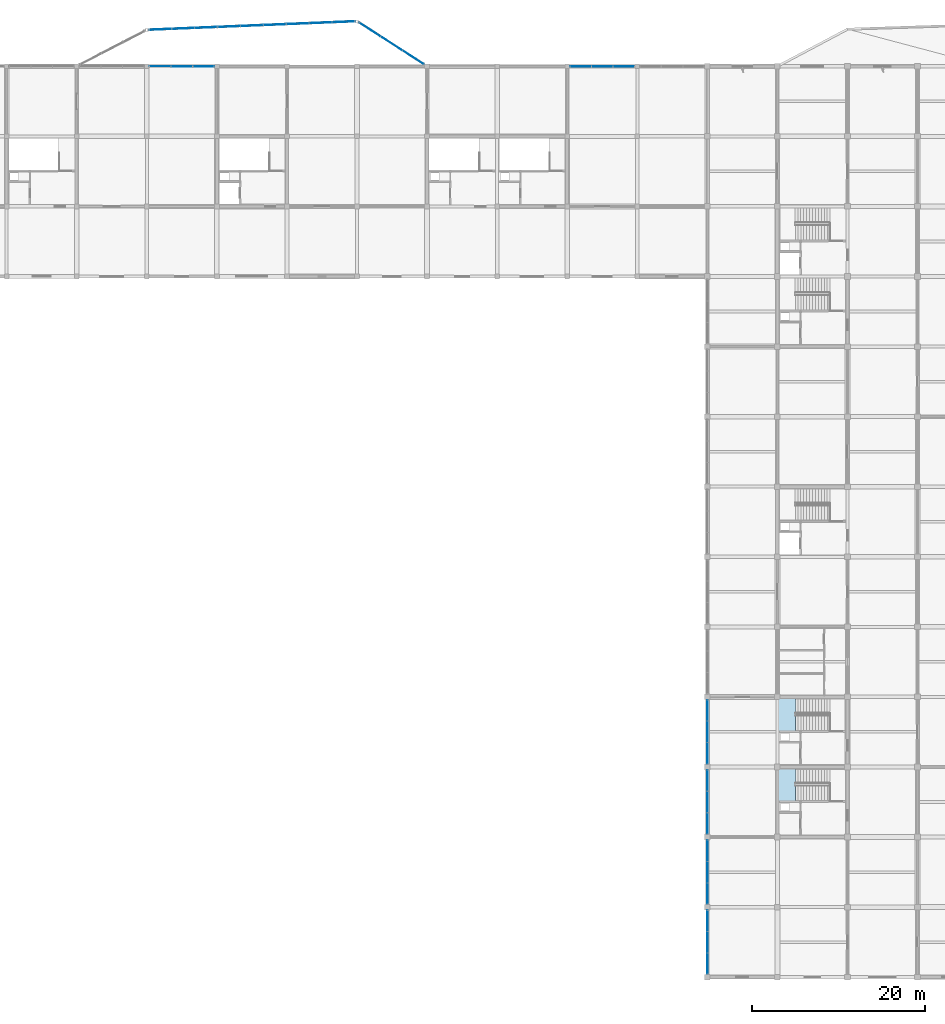
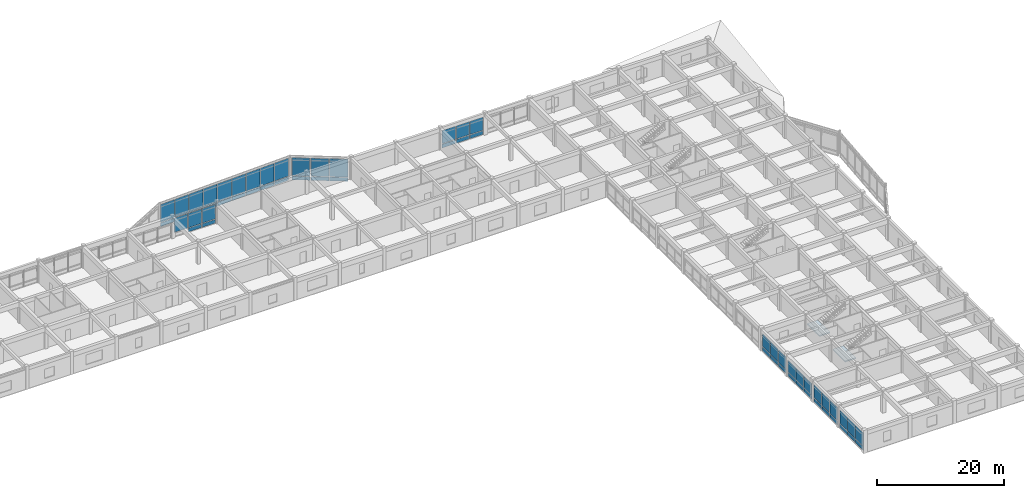
# One storey, part 22 of 40: 59 plates, 2 slabs, 12 elements without a shape of their own.
"""IFC4 building model written with IfcOpenShell, lengths in metres."""

from ifc_helpers import new_model, si_unit, direction, frame, origin, origin_2d, place, context, subcontext, project, spatial, polyline, rectangle, outline, extrude, material, layer, layer_set, type_object, element, aggregate, save


model = new_model("IFC4")

# Units and contexts
model_context = context("Model", 3, precision=1e-05, world=origin(), true_north=direction((0.0, 1.0)))
body_context = subcontext(model_context, "Body", "Model", "MODEL_VIEW")
ifc_project = project(units=[si_unit("LENGTHUNIT", "METRE"), si_unit("AREAUNIT", "SQUARE_METRE"), si_unit("VOLUMEUNIT", "CUBIC_METRE"), si_unit("PLANEANGLEUNIT", "RADIAN"), si_unit("MASSUNIT", "GRAM", prefix="KILO")], contexts=[model_context])

# Site, building, storey
site_placement = place(None, origin())
site = spatial("IfcSite", under=ifc_project, at=site_placement, CompositionType="ELEMENT")
building_placement = place(site_placement, origin())
building = spatial("IfcBuilding", under=site, at=building_placement, Name="Vaudrelin Polytechnic", CompositionType="ELEMENT")
storey_placement = place(building_placement, frame((0.0, 0.0, 22.949951171875)))
storey = spatial("IfcBuildingStorey", under=building, at=storey_placement, Name="L05", CompositionType="ELEMENT", Elevation=22.949951171875)

# Curtain wall, plates
ifc_material_1 = material(Name="Thermally broken anodised aluminium AA 6063-T6 and low-e triple glazing", Category="aluminium")
ifc_layer_1 = layer(ifc_material_1, 0.199951171875)
ifc_layer_set_1 = layer_set([ifc_layer_1], Name="Thermally broken anodised aluminium AA 6063-T6 and low-e triple glazing")
curtain_wall_type_1 = type_object("IfcCurtainWallType", Name="CW-CW-STU", PredefinedType="USERDEFINED", material=ifc_layer_set_1)
curtain_wall_1_placement = place(storey_placement, origin())
curtain_wall_1 = element("IfcCurtainWall", 1, at=curtain_wall_1_placement, inside=storey, type_object=curtain_wall_type_1, Name="Curtain wall L05 N_V5_07", ObjectType="CURTAIN WALL", PredefinedType="USERDEFINED")
ifc_material_2 = material(Name="Diffusing north-light studio glazing panel", Category="glass")
ifc_layer_2 = layer(ifc_material_2, 0.048095703125)
ifc_layer_set_2 = layer_set([ifc_layer_2], Name="Diffusing north-light studio glazing panel")
plate_type_1 = type_object("IfcPlateType", Name="PLT-GLZ-SAW", PredefinedType="CURTAIN_PANEL", material=ifc_layer_set_2)
plate_1_placement = place(storey_placement, frame((74.431884765625, 121.5, 0.89990234375), z_axis=(0.0, 0.0, 1.0), x_axis=(1.0, 0.0, 0.0)))
plate_1 = element("IfcPlate", 2, at=plate_1_placement, type_object=plate_type_1, Name="N_V5_07 vision panel 1", PredefinedType="CURTAIN_PANEL", context=body_context, shape_type="SweptSolid", body=[
    extrude(rectangle(XDim=2.41796875, YDim=0.0439453125, at=origin_2d()), origin(), (0.0, 0.0, 1.0), 2.7470703125),
])
plate_2_placement = place(storey_placement, frame((76.949951171875, 121.5, 0.89990234375), z_axis=(0.0, 0.0, 1.0), x_axis=(1.0, 0.0, 0.0)))
plate_2 = element("IfcPlate", 3, at=plate_2_placement, type_object=plate_type_1, Name="N_V5_07 vision panel 2", PredefinedType="CURTAIN_PANEL", context=body_context, shape_type="SweptSolid", body=[
    extrude(rectangle(XDim=2.41796875, YDim=0.0439453125, at=origin_2d()), origin(), (0.0, 0.0, 1.0), 2.7470703125),
])
plate_3_placement = place(storey_placement, frame((79.468017578125, 121.5, 0.89990234375), z_axis=(0.0, 0.0, 1.0), x_axis=(1.0, 0.0, 0.0)))
plate_3 = element("IfcPlate", 4, at=plate_3_placement, type_object=plate_type_1, Name="N_V5_07 vision panel 3", PredefinedType="CURTAIN_PANEL", context=body_context, shape_type="SweptSolid", body=[
    extrude(rectangle(XDim=2.41796875, YDim=0.0439453125, at=origin_2d()), origin(), (0.0, 0.0, 1.0), 2.7470703125),
])

curtain_wall_2_placement = place(storey_placement, origin())
curtain_wall_2 = element("IfcCurtainWall", 5, at=curtain_wall_2_placement, inside=storey, type_object=curtain_wall_type_1, Name="Curtain wall L05 N_V5_13", ObjectType="CURTAIN WALL", PredefinedType="USERDEFINED")
plate_4_placement = place(storey_placement, frame((123.031982421875, 121.5, 0.89990234375), z_axis=(0.0, 0.0, 1.0), x_axis=(1.0, 0.0, 0.0)))
plate_4 = element("IfcPlate", 6, at=plate_4_placement, type_object=plate_type_1, Name="N_V5_13 vision panel 1", PredefinedType="CURTAIN_PANEL", context=body_context, shape_type="SweptSolid", body=[
    extrude(rectangle(XDim=2.41796875, YDim=0.0439453125, at=origin_2d()), origin(), (0.0, 0.0, 1.0), 2.511962890625),
])
plate_5_placement = place(storey_placement, frame((125.550048828125, 121.5, 0.89990234375), z_axis=(0.0, 0.0, 1.0), x_axis=(1.0, 0.0, 0.0)))
plate_5 = element("IfcPlate", 7, at=plate_5_placement, type_object=plate_type_1, Name="N_V5_13 vision panel 2", PredefinedType="CURTAIN_PANEL", context=body_context, shape_type="SweptSolid", body=[
    extrude(rectangle(XDim=2.41796875, YDim=0.0439453125, at=origin_2d()), origin(), (0.0, 0.0, 1.0), 2.511962890625),
])
plate_6_placement = place(storey_placement, frame((128.068115234375, 121.5, 0.89990234375), z_axis=(0.0, 0.0, 1.0), x_axis=(1.0, 0.0, 0.0)))
plate_6 = element("IfcPlate", 8, at=plate_6_placement, type_object=plate_type_1, Name="N_V5_13 vision panel 3", PredefinedType="CURTAIN_PANEL", context=body_context, shape_type="SweptSolid", body=[
    extrude(rectangle(XDim=2.41796875, YDim=0.0439453125, at=origin_2d()), origin(), (0.0, 0.0, 1.0), 2.511962890625),
])

# Plate
ifc_material_3 = material(Name="Insulated ceramic-frit spandrel glass panel", Category="glass")
ifc_layer_3 = layer(ifc_material_3, 0.052001953125)
ifc_layer_set_3 = layer_set([ifc_layer_3], Name="Insulated ceramic-frit spandrel glass panel")
plate_type_2 = type_object("IfcPlateType", Name="PLT-GLZ-SPAND", PredefinedType="CURTAIN_PANEL", material=ifc_layer_set_3)
plate_7_placement = place(storey_placement, frame((76.949951171875, 121.5, 0.08984375), z_axis=(0.0, 0.0, 1.0), x_axis=(1.0, 0.0, 0.0)))
plate_7 = element("IfcPlate", 9, at=plate_7_placement, type_object=plate_type_2, Name="N_V5_07 spandrel panel 2", PredefinedType="CURTAIN_PANEL", context=body_context, shape_type="SweptSolid", body=[
    extrude(rectangle(XDim=2.41796875, YDim=0.052001953125, at=origin_2d()), origin(), (0.0, 0.0, 1.0), 0.699951171875),
])

plate_8_placement = place(storey_placement, frame((79.468017578125, 121.5, 0.08984375), z_axis=(0.0, 0.0, 1.0), x_axis=(1.0, 0.0, 0.0)))
plate_8 = element("IfcPlate", 10, at=plate_8_placement, type_object=plate_type_2, Name="N_V5_07 spandrel panel 3", PredefinedType="CURTAIN_PANEL", context=body_context, shape_type="SweptSolid", body=[
    extrude(rectangle(XDim=2.41796875, YDim=0.052001953125, at=origin_2d()), origin(), (0.0, 0.0, 1.0), 0.699951171875),
])

aggregate(curtain_wall_1, [plate_1, plate_7, plate_2, plate_8, plate_3])

plate_9_placement = place(storey_placement, frame((123.031982421875, 121.5, 0.08984375), z_axis=(0.0, 0.0, 1.0), x_axis=(1.0, 0.0, 0.0)))
plate_9 = element("IfcPlate", 11, at=plate_9_placement, type_object=plate_type_2, Name="N_V5_13 spandrel panel 1", PredefinedType="CURTAIN_PANEL", context=body_context, shape_type="SweptSolid", body=[
    extrude(rectangle(XDim=2.41796875, YDim=0.052001953125, at=origin_2d()), origin(), (0.0, 0.0, 1.0), 0.699951171875),
])

plate_10_placement = place(storey_placement, frame((125.550048828125, 121.5, 0.08984375), z_axis=(0.0, 0.0, 1.0), x_axis=(1.0, 0.0, 0.0)))
plate_10 = element("IfcPlate", 12, at=plate_10_placement, type_object=plate_type_2, Name="N_V5_13 spandrel panel 2", PredefinedType="CURTAIN_PANEL", context=body_context, shape_type="SweptSolid", body=[
    extrude(rectangle(XDim=2.41796875, YDim=0.052001953125, at=origin_2d()), origin(), (0.0, 0.0, 1.0), 0.699951171875),
])

plate_11_placement = place(storey_placement, frame((128.068115234375, 121.5, 0.08984375), z_axis=(0.0, 0.0, 1.0), x_axis=(1.0, 0.0, 0.0)))
plate_11 = element("IfcPlate", 13, at=plate_11_placement, type_object=plate_type_2, Name="N_V5_13 spandrel panel 3", PredefinedType="CURTAIN_PANEL", context=body_context, shape_type="SweptSolid", body=[
    extrude(rectangle(XDim=2.41796875, YDim=0.052001953125, at=origin_2d()), origin(), (0.0, 0.0, 1.0), 0.699951171875),
])

aggregate(curtain_wall_2, [plate_9, plate_4, plate_10, plate_5, plate_11, plate_6])

# Curtain wall, plates
ifc_layer_4 = layer(ifc_material_1, 0.199951171875)
ifc_layer_set_4 = layer_set([ifc_layer_4], Name="Thermally broken anodised aluminium AA 6063-T6 and low-e triple glazing")
curtain_wall_type_2 = type_object("IfcCurtainWallType", Name="CW-CW-LAB", PredefinedType="USERDEFINED", material=ifc_layer_set_4)
curtain_wall_3_placement = place(storey_placement, origin())
curtain_wall_3 = element("IfcCurtainWall", 14, at=curtain_wall_3_placement, inside=storey, type_object=curtain_wall_type_2, Name="Curtain wall L05 W_V4_00", ObjectType="CURTAIN WALL", PredefinedType="USERDEFINED")
plate_12_placement = place(storey_placement, frame((137.699951171875, 17.765380859375, 0.08984375), z_axis=(0.0, 0.0, 1.0), x_axis=(0.0, 1.0, 0.0)))
plate_12 = element("IfcPlate", 15, at=plate_12_placement, type_object=plate_type_2, Name="W_V4_00 spandrel panel 1", PredefinedType="CURTAIN_PANEL", context=body_context, shape_type="SweptSolid", body=[
    extrude(rectangle(XDim=2.384765625, YDim=0.052001953125, at=origin_2d()), origin(), (0.0, 0.0, 1.0), 0.699951171875),
])
plate_13_placement = place(storey_placement, frame((137.699951171875, 20.25, 0.08984375), z_axis=(0.0, 0.0, 1.0), x_axis=(0.0, 1.0, 0.0)))
plate_13 = element("IfcPlate", 16, at=plate_13_placement, type_object=plate_type_2, Name="W_V4_00 spandrel panel 2", PredefinedType="CURTAIN_PANEL", context=body_context, shape_type="SweptSolid", body=[
    extrude(rectangle(XDim=2.384765625, YDim=0.052001953125, at=origin_2d()), origin(), (0.0, 0.0, 1.0), 0.699951171875),
])
plate_14_placement = place(storey_placement, frame((137.699951171875, 22.734619140625, 0.08984375), z_axis=(0.0, 0.0, 1.0), x_axis=(0.0, 1.0, 0.0)))
plate_14 = element("IfcPlate", 17, at=plate_14_placement, type_object=plate_type_2, Name="W_V4_00 spandrel panel 3", PredefinedType="CURTAIN_PANEL", context=body_context, shape_type="SweptSolid", body=[
    extrude(rectangle(XDim=2.384765625, YDim=0.052001953125, at=origin_2d()), origin(), (0.0, 0.0, 1.0), 0.699951171875),
])

curtain_wall_4_placement = place(storey_placement, origin())
curtain_wall_4 = element("IfcCurtainWall", 18, at=curtain_wall_4_placement, inside=storey, type_object=curtain_wall_type_2, Name="Curtain wall L05 W_V4_01", ObjectType="CURTAIN WALL", PredefinedType="USERDEFINED")
plate_15_placement = place(storey_placement, frame((137.699951171875, 25.865234375, 0.08984375), z_axis=(0.0, 0.0, 1.0), x_axis=(0.0, 1.0, 0.0)))
plate_15 = element("IfcPlate", 19, at=plate_15_placement, type_object=plate_type_2, Name="W_V4_01 spandrel panel 1", PredefinedType="CURTAIN_PANEL", context=body_context, shape_type="SweptSolid", body=[
    extrude(rectangle(XDim=2.384765625, YDim=0.052001953125, at=origin_2d()), origin(), (0.0, 0.0, 1.0), 0.699951171875),
])
plate_16_placement = place(storey_placement, frame((137.699951171875, 28.35009765625, 0.08984375), z_axis=(0.0, 0.0, 1.0), x_axis=(0.0, 1.0, 0.0)))
plate_16 = element("IfcPlate", 20, at=plate_16_placement, type_object=plate_type_2, Name="W_V4_01 spandrel panel 2", PredefinedType="CURTAIN_PANEL", context=body_context, shape_type="SweptSolid", body=[
    extrude(rectangle(XDim=2.384765625, YDim=0.052001953125, at=origin_2d()), origin(), (0.0, 0.0, 1.0), 0.699951171875),
])
plate_17_placement = place(storey_placement, frame((137.699951171875, 30.834716796875, 0.08984375), z_axis=(0.0, 0.0, 1.0), x_axis=(0.0, 1.0, 0.0)))
plate_17 = element("IfcPlate", 21, at=plate_17_placement, type_object=plate_type_2, Name="W_V4_01 spandrel panel 3", PredefinedType="CURTAIN_PANEL", context=body_context, shape_type="SweptSolid", body=[
    extrude(rectangle(XDim=2.384765625, YDim=0.052001953125, at=origin_2d()), origin(), (0.0, 0.0, 1.0), 0.699951171875),
])

curtain_wall_5_placement = place(storey_placement, origin())
curtain_wall_5 = element("IfcCurtainWall", 22, at=curtain_wall_5_placement, inside=storey, type_object=curtain_wall_type_2, Name="Curtain wall L05 W_V4_02", ObjectType="CURTAIN WALL", PredefinedType="USERDEFINED")
plate_18_placement = place(storey_placement, frame((137.699951171875, 33.96533203125, 0.08984375), z_axis=(0.0, 0.0, 1.0), x_axis=(0.0, 1.0, 0.0)))
plate_18 = element("IfcPlate", 23, at=plate_18_placement, type_object=plate_type_2, Name="W_V4_02 spandrel panel 1", PredefinedType="CURTAIN_PANEL", context=body_context, shape_type="SweptSolid", body=[
    extrude(rectangle(XDim=2.384765625, YDim=0.052001953125, at=origin_2d()), origin(), (0.0, 0.0, 1.0), 0.699951171875),
])
plate_19_placement = place(storey_placement, frame((137.699951171875, 36.449951171875, 0.08984375), z_axis=(0.0, 0.0, 1.0), x_axis=(0.0, 1.0, 0.0)))
plate_19 = element("IfcPlate", 24, at=plate_19_placement, type_object=plate_type_2, Name="W_V4_02 spandrel panel 2", PredefinedType="CURTAIN_PANEL", context=body_context, shape_type="SweptSolid", body=[
    extrude(rectangle(XDim=2.384765625, YDim=0.052001953125, at=origin_2d()), origin(), (0.0, 0.0, 1.0), 0.699951171875),
])
plate_20_placement = place(storey_placement, frame((137.699951171875, 38.934814453125, 0.08984375), z_axis=(0.0, 0.0, 1.0), x_axis=(0.0, 1.0, 0.0)))
plate_20 = element("IfcPlate", 25, at=plate_20_placement, type_object=plate_type_2, Name="W_V4_02 spandrel panel 3", PredefinedType="CURTAIN_PANEL", context=body_context, shape_type="SweptSolid", body=[
    extrude(rectangle(XDim=2.384765625, YDim=0.052001953125, at=origin_2d()), origin(), (0.0, 0.0, 1.0), 0.699951171875),
])

curtain_wall_6_placement = place(storey_placement, origin())
curtain_wall_6 = element("IfcCurtainWall", 26, at=curtain_wall_6_placement, inside=storey, type_object=curtain_wall_type_2, Name="Curtain wall L05 W_V4_03", ObjectType="CURTAIN WALL", PredefinedType="USERDEFINED")
plate_21_placement = place(storey_placement, frame((137.699951171875, 42.065185546875, 0.08984375), z_axis=(0.0, 0.0, 1.0), x_axis=(0.0, 1.0, 0.0)))
plate_21 = element("IfcPlate", 27, at=plate_21_placement, type_object=plate_type_2, Name="W_V4_03 spandrel panel 1", PredefinedType="CURTAIN_PANEL", context=body_context, shape_type="SweptSolid", body=[
    extrude(rectangle(XDim=2.384765625, YDim=0.052001953125, at=origin_2d()), origin(), (0.0, 0.0, 1.0), 0.699951171875),
])
plate_22_placement = place(storey_placement, frame((137.699951171875, 44.550048828125, 0.08984375), z_axis=(0.0, 0.0, 1.0), x_axis=(0.0, 1.0, 0.0)))
plate_22 = element("IfcPlate", 28, at=plate_22_placement, type_object=plate_type_2, Name="W_V4_03 spandrel panel 2", PredefinedType="CURTAIN_PANEL", context=body_context, shape_type="SweptSolid", body=[
    extrude(rectangle(XDim=2.384765625, YDim=0.052001953125, at=origin_2d()), origin(), (0.0, 0.0, 1.0), 0.699951171875),
])
plate_23_placement = place(storey_placement, frame((137.699951171875, 47.03466796875, 0.08984375), z_axis=(0.0, 0.0, 1.0), x_axis=(0.0, 1.0, 0.0)))
plate_23 = element("IfcPlate", 29, at=plate_23_placement, type_object=plate_type_2, Name="W_V4_03 spandrel panel 3", PredefinedType="CURTAIN_PANEL", context=body_context, shape_type="SweptSolid", body=[
    extrude(rectangle(XDim=2.384765625, YDim=0.052001953125, at=origin_2d()), origin(), (0.0, 0.0, 1.0), 0.699951171875),
])

curtain_wall_7_placement = place(storey_placement, origin())
curtain_wall_7 = element("IfcCurtainWall", 30, at=curtain_wall_7_placement, inside=storey, type_object=curtain_wall_type_1, Name="Curtain wall L05 N_OR2_2_0", ObjectType="CURTAIN WALL", PredefinedType="USERDEFINED")
plate_24_placement = place(storey_placement, frame((74.4609375, 125.764404296875, -0.5400390625), z_axis=(0.0, 0.0, 1.0), x_axis=(0.999154417424, 0.041115084128, 0.0)))
plate_24 = element("IfcPlate", 31, at=plate_24_placement, type_object=plate_type_2, Name="N_OR2_2_0 spandrel panel 1", PredefinedType="CURTAIN_PANEL", context=body_context, shape_type="SweptSolid", body=[
    extrude(rectangle(XDim=2.549560546875, YDim=0.052001953125, at=origin_2d()), origin(), (0.0, 0.0, 1.0), 0.699951171875),
])
plate_25_placement = place(storey_placement, frame((77.108154296875, 125.873291015625, -0.5400390625), z_axis=(0.0, 0.0, 1.0), x_axis=(0.999154417424, 0.041115084128, 0.0)))
plate_25 = element("IfcPlate", 32, at=plate_25_placement, type_object=plate_type_2, Name="N_OR2_2_0 spandrel panel 2", PredefinedType="CURTAIN_PANEL", context=body_context, shape_type="SweptSolid", body=[
    extrude(rectangle(XDim=2.549560546875, YDim=0.052001953125, at=origin_2d()), origin(), (0.0, 0.0, 1.0), 0.699951171875),
])
plate_26_placement = place(storey_placement, frame((79.755615234375, 125.982177734375, -0.5400390625), z_axis=(0.0, 0.0, 1.0), x_axis=(0.999154417424, 0.041115084128, 0.0)))
plate_26 = element("IfcPlate", 33, at=plate_26_placement, type_object=plate_type_2, Name="N_OR2_2_0 spandrel panel 3", PredefinedType="CURTAIN_PANEL", context=body_context, shape_type="SweptSolid", body=[
    extrude(rectangle(XDim=2.549560546875, YDim=0.052001953125, at=origin_2d()), origin(), (0.0, 0.0, 1.0), 0.699951171875),
])

curtain_wall_8_placement = place(storey_placement, origin())
curtain_wall_8 = element("IfcCurtainWall", 34, at=curtain_wall_8_placement, inside=storey, type_object=curtain_wall_type_1, Name="Curtain wall L05 N_OR2_2_1", ObjectType="CURTAIN WALL", PredefinedType="USERDEFINED")
plate_27_placement = place(storey_placement, frame((82.402587890625, 126.091064453125, -0.5400390625), z_axis=(0.0, 0.0, 1.0), x_axis=(0.999154438691, 0.041114567302, 0.0)))
plate_27 = element("IfcPlate", 35, at=plate_27_placement, type_object=plate_type_2, Name="N_OR2_2_1 spandrel panel 1", PredefinedType="CURTAIN_PANEL", context=body_context, shape_type="SweptSolid", body=[
    extrude(rectangle(XDim=2.549560546875, YDim=0.052001953125, at=origin_2d()), origin(), (0.0, 0.0, 1.0), 0.699951171875),
])
plate_28_placement = place(storey_placement, frame((85.050048828125, 126.199951171875, -0.5400390625), z_axis=(0.0, 0.0, 1.0), x_axis=(0.999154438691, 0.041114567302, 0.0)))
plate_28 = element("IfcPlate", 36, at=plate_28_placement, type_object=plate_type_2, Name="N_OR2_2_1 spandrel panel 2", PredefinedType="CURTAIN_PANEL", context=body_context, shape_type="SweptSolid", body=[
    extrude(rectangle(XDim=2.549560546875, YDim=0.052001953125, at=origin_2d()), origin(), (0.0, 0.0, 1.0), 0.699951171875),
])
plate_29_placement = place(storey_placement, frame((87.697265625, 126.308837890625, -0.5400390625), z_axis=(0.0, 0.0, 1.0), x_axis=(0.999154438691, 0.041114567302, 0.0)))
plate_29 = element("IfcPlate", 37, at=plate_29_placement, type_object=plate_type_2, Name="N_OR2_2_1 spandrel panel 3", PredefinedType="CURTAIN_PANEL", context=body_context, shape_type="SweptSolid", body=[
    extrude(rectangle(XDim=2.549560546875, YDim=0.052001953125, at=origin_2d()), origin(), (0.0, 0.0, 1.0), 0.699951171875),
])

curtain_wall_9_placement = place(storey_placement, origin())
curtain_wall_9 = element("IfcCurtainWall", 38, at=curtain_wall_9_placement, inside=storey, type_object=curtain_wall_type_1, Name="Curtain wall L05 N_OR2_2_2", ObjectType="CURTAIN WALL", PredefinedType="USERDEFINED")
plate_30_placement = place(storey_placement, frame((90.344482421875, 126.41796875, -0.5400390625), z_axis=(0.0, 0.0, 1.0), x_axis=(0.999154417424, 0.041115084128, 0.0)))
plate_30 = element("IfcPlate", 39, at=plate_30_placement, type_object=plate_type_2, Name="N_OR2_2_2 spandrel panel 1", PredefinedType="CURTAIN_PANEL", context=body_context, shape_type="SweptSolid", body=[
    extrude(rectangle(XDim=2.549560546875, YDim=0.052001953125, at=origin_2d()), origin(), (0.0, 0.0, 1.0), 0.699951171875),
])
plate_31_placement = place(storey_placement, frame((92.99169921875, 126.52685546875, -0.5400390625), z_axis=(0.0, 0.0, 1.0), x_axis=(0.999154417424, 0.041115084128, 0.0)))
plate_31 = element("IfcPlate", 40, at=plate_31_placement, type_object=plate_type_2, Name="N_OR2_2_2 spandrel panel 2", PredefinedType="CURTAIN_PANEL", context=body_context, shape_type="SweptSolid", body=[
    extrude(rectangle(XDim=2.549560546875, YDim=0.052001953125, at=origin_2d()), origin(), (0.0, 0.0, 1.0), 0.699951171875),
])
plate_32_placement = place(storey_placement, frame((95.638916015625, 126.6357421875, -0.5400390625), z_axis=(0.0, 0.0, 1.0), x_axis=(0.999154417424, 0.041115084128, 0.0)))
plate_32 = element("IfcPlate", 41, at=plate_32_placement, type_object=plate_type_2, Name="N_OR2_2_2 spandrel panel 3", PredefinedType="CURTAIN_PANEL", context=body_context, shape_type="SweptSolid", body=[
    extrude(rectangle(XDim=2.549560546875, YDim=0.052001953125, at=origin_2d()), origin(), (0.0, 0.0, 1.0), 0.699951171875),
])

curtain_wall_10_placement = place(storey_placement, origin())
curtain_wall_10 = element("IfcCurtainWall", 42, at=curtain_wall_10_placement, inside=storey, type_object=curtain_wall_type_1, Name="Curtain wall L05 N_OR2_3_0", ObjectType="CURTAIN WALL", PredefinedType="USERDEFINED")
plate_33_placement = place(storey_placement, frame((98.678955078125, 125.75048828125, -0.5400390625), z_axis=(0.0, 0.0, 1.0), x_axis=(0.841518560242, -0.540228204344, 0.0)))
plate_33 = element("IfcPlate", 43, at=plate_33_placement, type_object=plate_type_2, Name="N_OR2_3_0 spandrel panel 1", PredefinedType="CURTAIN_PANEL", context=body_context, shape_type="SweptSolid", body=[
    extrude(rectangle(XDim=2.882568359375, YDim=0.052001953125, at=origin_2d()), origin(), (0.0, 0.0, 1.0), 0.699951171875),
])
plate_34_placement = place(storey_placement, frame((101.188720703125, 124.139404296875, -0.5400390625), z_axis=(0.0, 0.0, 1.0), x_axis=(0.841518560242, -0.540228204344, 0.0)))
plate_34 = element("IfcPlate", 44, at=plate_34_placement, type_object=plate_type_2, Name="N_OR2_3_0 spandrel panel 2", PredefinedType="CURTAIN_PANEL", context=body_context, shape_type="SweptSolid", body=[
    extrude(rectangle(XDim=2.882568359375, YDim=0.052001953125, at=origin_2d()), origin(), (0.0, 0.0, 1.0), 0.699951171875),
])
plate_35_placement = place(storey_placement, frame((103.698486328125, 122.528076171875, -0.5400390625), z_axis=(0.0, 0.0, 1.0), x_axis=(0.841518560242, -0.540228204344, 0.0)))
plate_35 = element("IfcPlate", 45, at=plate_35_placement, type_object=plate_type_2, Name="N_OR2_3_0 spandrel panel 3", PredefinedType="CURTAIN_PANEL", context=body_context, shape_type="SweptSolid", body=[
    extrude(rectangle(XDim=2.882568359375, YDim=0.052001953125, at=origin_2d()), origin(), (0.0, 0.0, 1.0), 0.699951171875),
])

# Plate
ifc_material_4 = material(Name="Triple low-e argon insulated glazing unit", Category="glass")
ifc_layer_5 = layer(ifc_material_4, 0.0439453125)
ifc_layer_set_5 = layer_set([ifc_layer_5], Name="Triple low-e argon insulated glazing unit")
plate_type_3 = type_object("IfcPlateType", Name="PLT-GLZ-TRIPLE", PredefinedType="CURTAIN_PANEL", material=ifc_layer_set_5)
plate_36_placement = place(storey_placement, frame((137.699951171875, 17.765380859375, 0.900146484375), z_axis=(0.0, 0.0, 1.0), x_axis=(0.0, 1.0, 0.0)))
plate_36 = element("IfcPlate", 46, at=plate_36_placement, type_object=plate_type_3, Name="W_V4_00 vision panel 1", PredefinedType="CURTAIN_PANEL", context=body_context, shape_type="SweptSolid", body=[
    extrude(rectangle(XDim=2.384765625, YDim=0.0439453125, at=origin_2d()), origin(), (0.0, 0.0, 1.0), 2.56201171875),
])

plate_37_placement = place(storey_placement, frame((137.699951171875, 20.25, 0.900146484375), z_axis=(0.0, 0.0, 1.0), x_axis=(0.0, 1.0, 0.0)))
plate_37 = element("IfcPlate", 47, at=plate_37_placement, type_object=plate_type_3, Name="W_V4_00 vision panel 2", PredefinedType="CURTAIN_PANEL", context=body_context, shape_type="SweptSolid", body=[
    extrude(rectangle(XDim=2.384765625, YDim=0.0439453125, at=origin_2d()), origin(), (0.0, 0.0, 1.0), 2.56201171875),
])

plate_38_placement = place(storey_placement, frame((137.699951171875, 22.734619140625, 0.900146484375), z_axis=(0.0, 0.0, 1.0), x_axis=(0.0, 1.0, 0.0)))
plate_38 = element("IfcPlate", 48, at=plate_38_placement, type_object=plate_type_3, Name="W_V4_00 vision panel 3", PredefinedType="CURTAIN_PANEL", context=body_context, shape_type="SweptSolid", body=[
    extrude(rectangle(XDim=2.384765625, YDim=0.0439453125, at=origin_2d()), origin(), (0.0, 0.0, 1.0), 2.56201171875),
])

aggregate(curtain_wall_3, [plate_12, plate_36, plate_13, plate_37, plate_14, plate_38])

plate_39_placement = place(storey_placement, frame((137.699951171875, 25.865234375, 0.89990234375), z_axis=(0.0, 0.0, 1.0), x_axis=(0.0, 1.0, 0.0)))
plate_39 = element("IfcPlate", 49, at=plate_39_placement, type_object=plate_type_3, Name="W_V4_01 vision panel 1", PredefinedType="CURTAIN_PANEL", context=body_context, shape_type="SweptSolid", body=[
    extrude(rectangle(XDim=2.384765625, YDim=0.0439453125, at=origin_2d()), origin(), (0.0, 0.0, 1.0), 2.511962890625),
])

plate_40_placement = place(storey_placement, frame((137.699951171875, 28.35009765625, 0.89990234375), z_axis=(0.0, 0.0, 1.0), x_axis=(0.0, 1.0, 0.0)))
plate_40 = element("IfcPlate", 50, at=plate_40_placement, type_object=plate_type_3, Name="W_V4_01 vision panel 2", PredefinedType="CURTAIN_PANEL", context=body_context, shape_type="SweptSolid", body=[
    extrude(rectangle(XDim=2.384765625, YDim=0.0439453125, at=origin_2d()), origin(), (0.0, 0.0, 1.0), 2.511962890625),
])

plate_41_placement = place(storey_placement, frame((137.699951171875, 30.834716796875, 0.89990234375), z_axis=(0.0, 0.0, 1.0), x_axis=(0.0, 1.0, 0.0)))
plate_41 = element("IfcPlate", 51, at=plate_41_placement, type_object=plate_type_3, Name="W_V4_01 vision panel 3", PredefinedType="CURTAIN_PANEL", context=body_context, shape_type="SweptSolid", body=[
    extrude(rectangle(XDim=2.384765625, YDim=0.0439453125, at=origin_2d()), origin(), (0.0, 0.0, 1.0), 2.511962890625),
])

aggregate(curtain_wall_4, [plate_15, plate_39, plate_16, plate_40, plate_17, plate_41])

plate_42_placement = place(storey_placement, frame((137.699951171875, 33.96533203125, 0.900146484375), z_axis=(0.0, 0.0, 1.0), x_axis=(0.0, 1.0, 0.0)))
plate_42 = element("IfcPlate", 52, at=plate_42_placement, type_object=plate_type_3, Name="W_V4_02 vision panel 1", PredefinedType="CURTAIN_PANEL", context=body_context, shape_type="SweptSolid", body=[
    extrude(rectangle(XDim=2.384765625, YDim=0.0439453125, at=origin_2d()), origin(), (0.0, 0.0, 1.0), 2.2119140625),
])

plate_43_placement = place(storey_placement, frame((137.699951171875, 36.449951171875, 0.900146484375), z_axis=(0.0, 0.0, 1.0), x_axis=(0.0, 1.0, 0.0)))
plate_43 = element("IfcPlate", 53, at=plate_43_placement, type_object=plate_type_3, Name="W_V4_02 vision panel 2", PredefinedType="CURTAIN_PANEL", context=body_context, shape_type="SweptSolid", body=[
    extrude(rectangle(XDim=2.384765625, YDim=0.0439453125, at=origin_2d()), origin(), (0.0, 0.0, 1.0), 2.2119140625),
])

plate_44_placement = place(storey_placement, frame((137.699951171875, 38.934814453125, 0.900146484375), z_axis=(0.0, 0.0, 1.0), x_axis=(0.0, 1.0, 0.0)))
plate_44 = element("IfcPlate", 54, at=plate_44_placement, type_object=plate_type_3, Name="W_V4_02 vision panel 3", PredefinedType="CURTAIN_PANEL", context=body_context, shape_type="SweptSolid", body=[
    extrude(rectangle(XDim=2.384765625, YDim=0.0439453125, at=origin_2d()), origin(), (0.0, 0.0, 1.0), 2.2119140625),
])

aggregate(curtain_wall_5, [plate_18, plate_42, plate_19, plate_43, plate_20, plate_44])

plate_45_placement = place(storey_placement, frame((137.699951171875, 42.065185546875, 0.89990234375), z_axis=(0.0, 0.0, 1.0), x_axis=(0.0, 1.0, 0.0)))
plate_45 = element("IfcPlate", 55, at=plate_45_placement, type_object=plate_type_3, Name="W_V4_03 vision panel 1", PredefinedType="CURTAIN_PANEL", context=body_context, shape_type="SweptSolid", body=[
    extrude(rectangle(XDim=2.384765625, YDim=0.0439453125, at=origin_2d()), origin(), (0.0, 0.0, 1.0), 2.412109375),
])

plate_46_placement = place(storey_placement, frame((137.699951171875, 44.550048828125, 0.89990234375), z_axis=(0.0, 0.0, 1.0), x_axis=(0.0, 1.0, 0.0)))
plate_46 = element("IfcPlate", 56, at=plate_46_placement, type_object=plate_type_3, Name="W_V4_03 vision panel 2", PredefinedType="CURTAIN_PANEL", context=body_context, shape_type="SweptSolid", body=[
    extrude(rectangle(XDim=2.384765625, YDim=0.0439453125, at=origin_2d()), origin(), (0.0, 0.0, 1.0), 2.412109375),
])

plate_47_placement = place(storey_placement, frame((137.699951171875, 47.03466796875, 0.89990234375), z_axis=(0.0, 0.0, 1.0), x_axis=(0.0, 1.0, 0.0)))
plate_47 = element("IfcPlate", 57, at=plate_47_placement, type_object=plate_type_3, Name="W_V4_03 vision panel 3", PredefinedType="CURTAIN_PANEL", context=body_context, shape_type="SweptSolid", body=[
    extrude(rectangle(XDim=2.384765625, YDim=0.0439453125, at=origin_2d()), origin(), (0.0, 0.0, 1.0), 2.412109375),
])

aggregate(curtain_wall_6, [plate_21, plate_45, plate_22, plate_46, plate_23, plate_47])

plate_48_placement = place(storey_placement, frame((74.4609375, 125.764404296875, 0.27001953125), z_axis=(0.0, 0.0, 1.0), x_axis=(0.999154417424, 0.041115084128, 0.0)))
plate_48 = element("IfcPlate", 58, at=plate_48_placement, type_object=plate_type_3, Name="N_OR2_2_0 vision panel 1", PredefinedType="CURTAIN_PANEL", context=body_context, shape_type="SweptSolid", body=[
    extrude(rectangle(XDim=2.549560546875, YDim=0.0439453125, at=origin_2d()), origin(), (0.0, 0.0, 1.0), 3.43994140625),
])

plate_49_placement = place(storey_placement, frame((77.108154296875, 125.873291015625, 0.27001953125), z_axis=(0.0, 0.0, 1.0), x_axis=(0.999154417424, 0.041115084128, 0.0)))
plate_49 = element("IfcPlate", 59, at=plate_49_placement, type_object=plate_type_3, Name="N_OR2_2_0 vision panel 2", PredefinedType="CURTAIN_PANEL", context=body_context, shape_type="SweptSolid", body=[
    extrude(rectangle(XDim=2.549560546875, YDim=0.0439453125, at=origin_2d()), origin(), (0.0, 0.0, 1.0), 3.43994140625),
])

plate_50_placement = place(storey_placement, frame((79.755615234375, 125.982177734375, 0.27001953125), z_axis=(0.0, 0.0, 1.0), x_axis=(0.999154417424, 0.041115084128, 0.0)))
plate_50 = element("IfcPlate", 60, at=plate_50_placement, type_object=plate_type_3, Name="N_OR2_2_0 vision panel 3", PredefinedType="CURTAIN_PANEL", context=body_context, shape_type="SweptSolid", body=[
    extrude(rectangle(XDim=2.549560546875, YDim=0.0439453125, at=origin_2d()), origin(), (0.0, 0.0, 1.0), 3.43994140625),
])

aggregate(curtain_wall_7, [plate_24, plate_48, plate_25, plate_49, plate_26, plate_50])

plate_51_placement = place(storey_placement, frame((82.402587890625, 126.091064453125, 0.27001953125), z_axis=(0.0, 0.0, 1.0), x_axis=(0.999154438691, 0.041114567302, 0.0)))
plate_51 = element("IfcPlate", 61, at=plate_51_placement, type_object=plate_type_3, Name="N_OR2_2_1 vision panel 1", PredefinedType="CURTAIN_PANEL", context=body_context, shape_type="SweptSolid", body=[
    extrude(rectangle(XDim=2.549560546875, YDim=0.0439453125, at=origin_2d()), origin(), (0.0, 0.0, 1.0), 3.43994140625),
])

plate_52_placement = place(storey_placement, frame((85.050048828125, 126.199951171875, 0.27001953125), z_axis=(0.0, 0.0, 1.0), x_axis=(0.999154438691, 0.041114567302, 0.0)))
plate_52 = element("IfcPlate", 62, at=plate_52_placement, type_object=plate_type_3, Name="N_OR2_2_1 vision panel 2", PredefinedType="CURTAIN_PANEL", context=body_context, shape_type="SweptSolid", body=[
    extrude(rectangle(XDim=2.549560546875, YDim=0.0439453125, at=origin_2d()), origin(), (0.0, 0.0, 1.0), 3.43994140625),
])

plate_53_placement = place(storey_placement, frame((87.697265625, 126.308837890625, 0.27001953125), z_axis=(0.0, 0.0, 1.0), x_axis=(0.999154438691, 0.041114567302, 0.0)))
plate_53 = element("IfcPlate", 63, at=plate_53_placement, type_object=plate_type_3, Name="N_OR2_2_1 vision panel 3", PredefinedType="CURTAIN_PANEL", context=body_context, shape_type="SweptSolid", body=[
    extrude(rectangle(XDim=2.549560546875, YDim=0.0439453125, at=origin_2d()), origin(), (0.0, 0.0, 1.0), 3.43994140625),
])

aggregate(curtain_wall_8, [plate_27, plate_51, plate_28, plate_52, plate_29, plate_53])

plate_54_placement = place(storey_placement, frame((90.344482421875, 126.41796875, 0.27001953125), z_axis=(0.0, 0.0, 1.0), x_axis=(0.999154417424, 0.041115084128, 0.0)))
plate_54 = element("IfcPlate", 64, at=plate_54_placement, type_object=plate_type_3, Name="N_OR2_2_2 vision panel 1", PredefinedType="CURTAIN_PANEL", context=body_context, shape_type="SweptSolid", body=[
    extrude(rectangle(XDim=2.549560546875, YDim=0.0439453125, at=origin_2d()), origin(), (0.0, 0.0, 1.0), 3.43994140625),
])

plate_55_placement = place(storey_placement, frame((92.99169921875, 126.52685546875, 0.27001953125), z_axis=(0.0, 0.0, 1.0), x_axis=(0.999154417424, 0.041115084128, 0.0)))
plate_55 = element("IfcPlate", 65, at=plate_55_placement, type_object=plate_type_3, Name="N_OR2_2_2 vision panel 2", PredefinedType="CURTAIN_PANEL", context=body_context, shape_type="SweptSolid", body=[
    extrude(rectangle(XDim=2.549560546875, YDim=0.0439453125, at=origin_2d()), origin(), (0.0, 0.0, 1.0), 3.43994140625),
])

plate_56_placement = place(storey_placement, frame((95.638916015625, 126.6357421875, 0.27001953125), z_axis=(0.0, 0.0, 1.0), x_axis=(0.999154417424, 0.041115084128, 0.0)))
plate_56 = element("IfcPlate", 66, at=plate_56_placement, type_object=plate_type_3, Name="N_OR2_2_2 vision panel 3", PredefinedType="CURTAIN_PANEL", context=body_context, shape_type="SweptSolid", body=[
    extrude(rectangle(XDim=2.549560546875, YDim=0.0439453125, at=origin_2d()), origin(), (0.0, 0.0, 1.0), 3.43994140625),
])

aggregate(curtain_wall_9, [plate_30, plate_54, plate_31, plate_55, plate_32, plate_56])

plate_57_placement = place(storey_placement, frame((98.678955078125, 125.75048828125, 0.27001953125), z_axis=(0.0, 0.0, 1.0), x_axis=(0.841518560242, -0.540228204344, 0.0)))
plate_57 = element("IfcPlate", 67, at=plate_57_placement, type_object=plate_type_3, Name="N_OR2_3_0 vision panel 1", PredefinedType="CURTAIN_PANEL", context=body_context, shape_type="SweptSolid", body=[
    extrude(rectangle(XDim=2.882568359375, YDim=0.0439453125, at=origin_2d()), origin(), (0.0, 0.0, 1.0), 3.43994140625),
])

plate_58_placement = place(storey_placement, frame((101.188720703125, 124.139404296875, 0.27001953125), z_axis=(0.0, 0.0, 1.0), x_axis=(0.841518560242, -0.540228204344, 0.0)))
plate_58 = element("IfcPlate", 68, at=plate_58_placement, type_object=plate_type_3, Name="N_OR2_3_0 vision panel 2", PredefinedType="CURTAIN_PANEL", context=body_context, shape_type="SweptSolid", body=[
    extrude(rectangle(XDim=2.882568359375, YDim=0.0439453125, at=origin_2d()), origin(), (0.0, 0.0, 1.0), 3.43994140625),
])

plate_59_placement = place(storey_placement, frame((103.698486328125, 122.528076171875, 0.27001953125), z_axis=(0.0, 0.0, 1.0), x_axis=(0.841518560242, -0.540228204344, 0.0)))
plate_59 = element("IfcPlate", 69, at=plate_59_placement, type_object=plate_type_3, Name="N_OR2_3_0 vision panel 3", PredefinedType="CURTAIN_PANEL", context=body_context, shape_type="SweptSolid", body=[
    extrude(rectangle(XDim=2.882568359375, YDim=0.0439453125, at=origin_2d()), origin(), (0.0, 0.0, 1.0), 3.43994140625),
])

aggregate(curtain_wall_10, [plate_33, plate_57, plate_34, plate_58, plate_35, plate_59])

# Stair, slab
ifc_material_5 = material(Name="Concrete 35 MPa", Category="concrete")
stair_type = type_object("IfcStairType", Name="STR-ST-CORE", PredefinedType="TWO_STRAIGHT_RUN_STAIR", material=ifc_material_5)
stair_1_placement = place(storey_placement, origin())
stair_1 = element("IfcStair", 70, at=stair_1_placement, inside=storey, type_object=stair_type, Name="Exit stair ST-08-L05", PredefinedType="TWO_STRAIGHT_RUN_STAIR")
ifc_layer_6 = layer(ifc_material_5, 0.219970703125)
ifc_layer_set_6 = layer_set([ifc_layer_6], Name="Concrete 35 MPa")
slab_type = type_object("IfcSlabType", Name="SLB-LND220", PredefinedType="LANDING", material=ifc_layer_set_6)
slab_1_placement = place(storey_placement, frame((0.0, 0.0, 1.989990234375)))
slab_1 = element("IfcSlab", 71, at=slab_1_placement, type_object=slab_type, Name="ST-08-L05 landing 1", PredefinedType="LANDING", context=body_context, shape_type="SweptSolid", body=[
    extrude(outline(polyline([(145.93994140625, 36.56005859375), (147.909912109375, 36.56005859375), (147.909912109375, 40.39990234375), (145.93994140625, 40.39990234375), (145.93994140625, 36.56005859375)])), origin(), (0.0, 0.0, 1.0), 0.219970703125),
])
aggregate(stair_1, [slab_1])

stair_2_placement = place(storey_placement, origin())
stair_2 = element("IfcStair", 72, at=stair_2_placement, inside=storey, type_object=stair_type, Name="Exit stair ST-12-L05", PredefinedType="TWO_STRAIGHT_RUN_STAIR")
slab_2_placement = place(storey_placement, frame((0.0, 0.0, 1.989990234375)))
slab_2 = element("IfcSlab", 73, at=slab_2_placement, type_object=slab_type, Name="ST-12-L05 landing 1", PredefinedType="LANDING", context=body_context, shape_type="SweptSolid", body=[
    extrude(outline(polyline([(145.93994140625, 44.659912109375), (147.909912109375, 44.659912109375), (147.909912109375, 48.5), (145.93994140625, 48.5), (145.93994140625, 44.659912109375)])), origin(), (0.0, 0.0, 1.0), 0.219970703125),
])
aggregate(stair_2, [slab_2])

save(model, "model.ifc")
